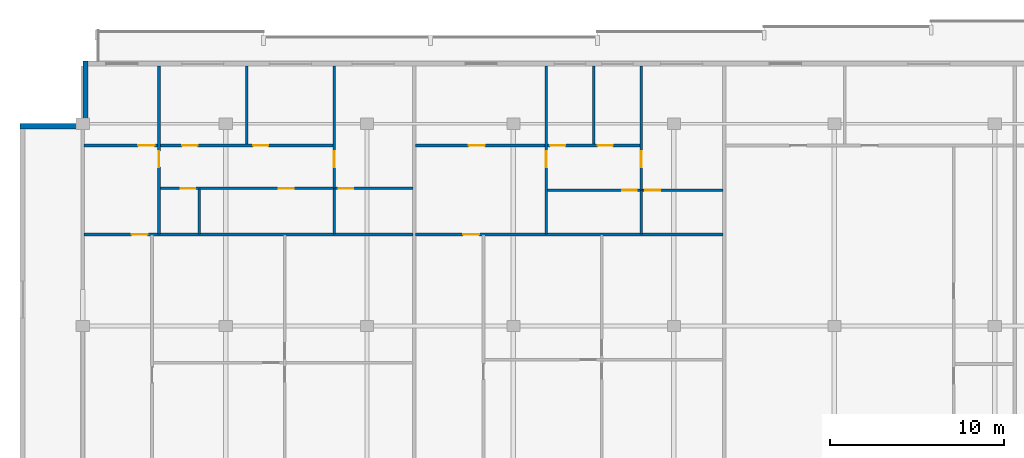
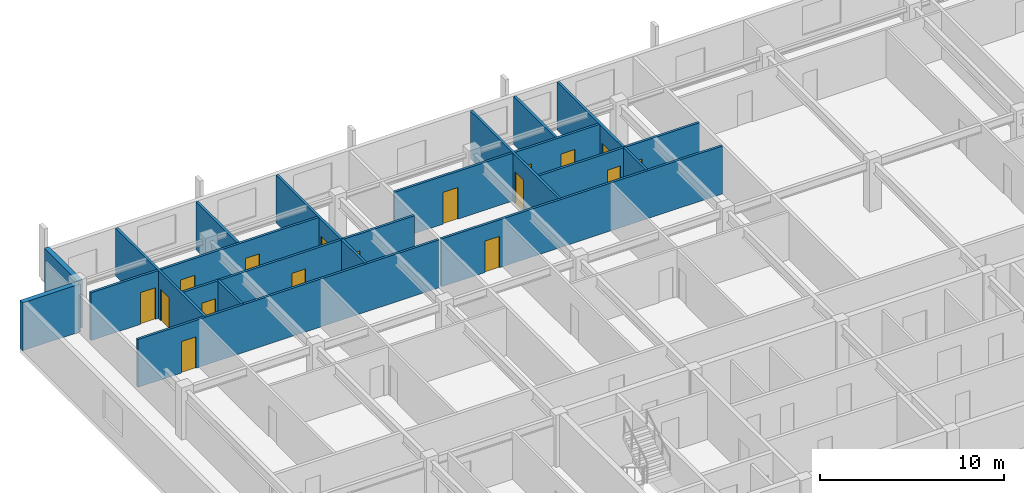
# One storey, part 7 of 11: 17 doors, 17 walls, 17 openings.
"""IFC4 building model written with IfcOpenShell, lengths in metres."""

import ifcopenshell
import ifcopenshell.guid

model = None  # the IFC model being written
_history = None  # IfcOwnerHistory: only IFC2X3 demands one
_inside = {}  # id of a spatial element -> (the spatial element, [elements in it])
_under = {}  # id of a project, library or spatial element -> (it, [spatial elements below it])
_declared = {}  # id of a project -> (the project, [libraries it declares])
_typed = {}  # id of a type object -> (the type object, [elements of that type])
_made_of = {}  # id of a material, layer set ... -> (it, [elements and type objects made of it])


def new_model(schema):
    """Start an empty IFC model of exactly this schema.

    Asked for "IFC4X3", IfcOpenShell would pick the latest addendum, in which some entities
    have other attributes; the version numbers below select the first issue.
    IFC2X3 requires an IfcOwnerHistory on every rooted entity: one is made here for all.
    """
    global model, _history
    if schema == "IFC4X3":
        model = ifcopenshell.file(schema_version=(4, 3, 0, 0))
    else:
        model = ifcopenshell.file(schema=schema)
    _inside.clear()
    _under.clear()
    _declared.clear()
    _typed.clear()
    _made_of.clear()
    _history = None
    if model.schema == "IFC2X3":
        org = make("IfcOrganization", Name="unknown")
        user = make(
            "IfcPersonAndOrganization",
            ThePerson=make("IfcPerson", FamilyName="unknown"),
            TheOrganization=org,
        )
        app = make(
            "IfcApplication",
            ApplicationDeveloper=org,
            Version="unknown",
            ApplicationFullName="unknown",
            ApplicationIdentifier="unknown",
        )
        _history = make(
            "IfcOwnerHistory",
            OwningUser=user,
            OwningApplication=app,
            ChangeAction="ADDED",
            CreationDate=0,
        )
    return model


def make(cls, **values):
    """One entity of the class cls with the attributes given. An attribute that is None is left unset."""
    return model.create_entity(
        cls, **{name: value for name, value in values.items() if value is not None}
    )


def rooted(cls, **values):
    """An entity with a GlobalId (a new one), such as an element, a storey or a relation."""
    return make(cls, GlobalId=ifcopenshell.guid.new(), OwnerHistory=_history, **values)


def si_unit(unit_type, name, prefix=None):
    """IfcSIUnit, for example si_unit("LENGTHUNIT", "METRE", prefix="MILLI")."""
    return make("IfcSIUnit", UnitType=unit_type, Prefix=prefix, Name=name)


def assignment(units):
    """IfcUnitAssignment: the units of a project."""
    return None if units is None else make("IfcUnitAssignment", Units=units)


def point(xyz):
    """IfcCartesianPoint."""
    return None if xyz is None else make("IfcCartesianPoint", Coordinates=xyz)


def direction(xyz):
    """IfcDirection."""
    return None if xyz is None else make("IfcDirection", DirectionRatios=xyz)


def frame(location, z_axis=None, x_axis=None):
    """IfcAxis2Placement3D, a coordinate frame: its origin and axes. An axis left out is left unset."""
    return make(
        "IfcAxis2Placement3D",
        Location=point(location),
        Axis=direction(z_axis),
        RefDirection=direction(x_axis),
    )


def frame_2d(location, x_axis=None):
    """IfcAxis2Placement2D, a coordinate frame in the plane: its origin and x axis."""
    return make(
        "IfcAxis2Placement2D", Location=point(location), RefDirection=direction(x_axis)
    )


def origin():
    """The frame at (0, 0, 0) with its axes left unset."""
    return frame((0.0, 0.0, 0.0))


def place(relative_to, where):
    """IfcLocalPlacement: puts the frame where relative to a parent placement (None: the world)."""
    return make(
        "IfcLocalPlacement", PlacementRelTo=relative_to, RelativePlacement=where
    )


def context(
    kind, dimensions, precision=None, world=None, true_north=None, identifier=None
):
    """IfcGeometricRepresentationContext, for example the 3D "Model" context."""
    return make(
        "IfcGeometricRepresentationContext",
        ContextIdentifier=identifier,
        ContextType=kind,
        CoordinateSpaceDimension=dimensions,
        Precision=precision,
        WorldCoordinateSystem=world,
        TrueNorth=true_north,
    )


def subcontext(parent, identifier, kind, view, scale=None):
    """IfcGeometricRepresentationSubContext, for example "Body" below "Model"."""
    return make(
        "IfcGeometricRepresentationSubContext",
        ContextIdentifier=identifier,
        ContextType=kind,
        ParentContext=parent,
        TargetScale=scale,
        TargetView=view,
    )


def project(units=None, contexts=None):
    """IfcProject with its units and contexts."""
    return rooted(
        "IfcProject",
        Name="project",
        RepresentationContexts=contexts,
        UnitsInContext=assignment(units),
    )


def spatial(cls, under=None, at=None, **own):
    """A site, building, storey or space (cls), placed at a placement, below another one or the project."""
    s = rooted(cls, ObjectPlacement=at, **own)
    if under is not None:
        _under.setdefault(under.id(), (under, []))[1].append(s)
    return s


def profile(cls, at=None, kind="AREA", **sizes):
    """A parametric profile (cls). Its sizes go by their IFC names, for example OverallWidth=200.0."""
    return make(cls, ProfileType=kind, Position=at, **sizes)


def rectangle(**sizes):
    """IfcRectangleProfileDef."""
    return profile("IfcRectangleProfileDef", **sizes)


def extrude(swept, where, along, depth):
    """IfcExtrudedAreaSolid: the profile swept, set in the frame where, extruded along a direction by depth."""
    return make(
        "IfcExtrudedAreaSolid",
        SweptArea=swept,
        Position=where,
        ExtrudedDirection=direction(along),
        Depth=depth,
    )


def shape(context_of_items, identifier, shape_type, items):
    """IfcShapeRepresentation: the items that make up one representation, for example the "Body"."""
    return make(
        "IfcShapeRepresentation",
        ContextOfItems=context_of_items,
        RepresentationIdentifier=identifier,
        RepresentationType=shape_type,
        Items=items,
    )


def material(Name=None, Category=None):
    """IfcMaterial."""
    return make("IfcMaterial", Name=Name, Category=Category)


def layer(
    of_material, thickness, ventilated=None, Name=None, Category=None, Priority=None
):
    """IfcMaterialLayer: one layer of a wall or slab, of a material (None: an air gap)."""
    return make(
        "IfcMaterialLayer",
        Material=of_material,
        LayerThickness=thickness,
        IsVentilated=ventilated,
        Name=Name,
        Category=Category,
        Priority=Priority,
    )


def layer_set(layers, Name=None):
    """IfcMaterialLayerSet."""
    return make("IfcMaterialLayerSet", MaterialLayers=layers, LayerSetName=Name)


def made_of(thing, what):
    """Note that an element or type object is made of a material, layer set ...; save() writes the relation."""
    if what is not None:
        _made_of.setdefault(what.id(), (what, []))[1].append(thing)
    return thing


def type_object(cls, material=None, **own):
    """A type object (cls), such as IfcWallType, which elements share."""
    return made_of(rooted(cls, **own), material)


def element(
    cls,
    number,
    at=None,
    inside=None,
    cuts=None,
    type_object=None,
    material=None,
    context=None,
    identifier="Body",
    shape_type=None,
    held_by="IfcProductDefinitionShape",
    body=None,
    shapes=None,
    **own,
):
    """One element of the class cls, such as IfcWall. Its Tag is "e" and its number.

    at: its placement. inside: the storey or other place that contains it. cuts: it is an
    opening in that element (IfcRelVoidsElement). A single representation is given by context,
    identifier, shape_type and body (its items); several are given by shapes. held_by: the class
    of the entity that holds the representations. save() writes the other relations.
    """
    e = rooted(cls, Tag="e%d" % number, ObjectPlacement=at, **own)
    if body is not None:
        shapes = [shape(context, identifier, shape_type, body)]
    if shapes is not None:
        e.Representation = make(held_by, Representations=shapes)
    if inside is not None:
        _inside.setdefault(inside.id(), (inside, []))[1].append(e)
    if cuts is not None:
        rooted(
            "IfcRelVoidsElement", RelatingBuildingElement=cuts, RelatedOpeningElement=e
        )
    if type_object is not None:
        _typed.setdefault(type_object.id(), (type_object, []))[1].append(e)
    return made_of(e, material)


def fill(opening, filler):
    """IfcRelFillsElement: the door or window that sits in an opening."""
    return rooted(
        "IfcRelFillsElement",
        RelatingOpeningElement=opening,
        RelatedBuildingElement=filler,
    )


def aggregate(whole, parts):
    """IfcRelAggregates: a whole, such as a stair, and the parts it consists of."""
    return rooted("IfcRelAggregates", RelatingObject=whole, RelatedObjects=parts)


def save(model, path):
    """Write the relations noted so far, then the file.

    IfcRelAggregates (storeys below a building ...), IfcRelContainedInSpatialStructure (elements
    in a storey), IfcRelDefinesByType, IfcRelAssociatesMaterial and IfcRelDeclares: one each for
    every whole, place, type object, material and project.
    """
    for whole, parts in _under.values():
        aggregate(whole, parts)
    for where, things in _inside.values():
        rooted(
            "IfcRelContainedInSpatialStructure",
            RelatedElements=things,
            RelatingStructure=where,
        )
    for kind, things in _typed.values():
        rooted("IfcRelDefinesByType", RelatedObjects=things, RelatingType=kind)
    for what, things in _made_of.values():
        rooted("IfcRelAssociatesMaterial", RelatedObjects=things, RelatingMaterial=what)
    for by, libraries in _declared.values():
        rooted("IfcRelDeclares", RelatingContext=by, RelatedDefinitions=libraries)
    model.write(path)


model = new_model("IFC4")

# Units and contexts
model_context = context("Model", 3, precision=1e-05, world=origin(), true_north=direction((0.0, 1.0)))
body_context = subcontext(model_context, "Body", "Model", "MODEL_VIEW")
ifc_project = project(units=[si_unit("LENGTHUNIT", "METRE"), si_unit("AREAUNIT", "SQUARE_METRE"), si_unit("VOLUMEUNIT", "CUBIC_METRE"), si_unit("PLANEANGLEUNIT", "RADIAN"), si_unit("MASSUNIT", "GRAM", prefix="KILO")], contexts=[model_context])

# Site, building, storey
site_placement = place(None, origin())
site = spatial("IfcSite", under=ifc_project, at=site_placement, CompositionType="ELEMENT")
building_placement = place(site_placement, origin())
building = spatial("IfcBuilding", under=site, at=building_placement, Name="Korimba Cascade Residences", CompositionType="ELEMENT")
storey_placement = place(building_placement, frame((0.0, 0.0, 249.35009765625)))
storey = spatial("IfcBuildingStorey", under=building, at=storey_placement, Name="L72", CompositionType="ELEMENT", Elevation=249.35009765625)

# Walls
ifc_material_1 = material(Name="Precast concrete C40/50", Category="concrete")
ifc_layer_1 = layer(ifc_material_1, 0.300048828125)
ifc_layer_set_1 = layer_set([ifc_layer_1], Name="Precast concrete C40/50")
wall_type_1 = type_object("IfcWallType", Name="EW-STONE-300", PredefinedType="STANDARD", material=ifc_layer_set_1)
for number, where, z_axis, x_axis, name in (
    (1, (59.949951171875, 94.800048828125, 0.0), (0.0, 0.0, 1.0), (0.0, -1.0, 0.0), "L72 T1 Perimeter Stone Wall E07"),
    (2, (59.800048828125, 91.050048828125, 0.0), (0.0, 0.0, 1.0), (-1.0, 0.0, 0.0), "L72 T1 Perimeter Stone Wall E08"),
):
    element("IfcWall", number, at=place(storey_placement, frame(where, z_axis=z_axis, x_axis=x_axis)), inside=storey, type_object=wall_type_1, Name=name, PredefinedType="STANDARD", context=body_context, shape_type="SweptSolid", body=[
        extrude(rectangle(XDim=3.60009765625, YDim=0.300048828125, at=frame_2d((1.800048828125, 0.0))), origin(), (0.0, 0.0, 1.0), 3.169921875),
    ])
ifc_material_2 = material(Name="Insulated Acoustic Stud Partition", Category="gypsum")
ifc_layer_2 = layer(ifc_material_2, 0.14990234375)
ifc_layer_set_2 = layer_set([ifc_layer_2], Name="Insulated Acoustic Stud Partition")
wall_type_2 = type_object("IfcWallType", Name="WAL-PART-150", PredefinedType="PARTITIONING", material=ifc_layer_set_2)
wall_1_placement = place(storey_placement, frame((66.47998046875, 84.889892578125, 0.0), z_axis=(0.0, 0.0, 1.0), x_axis=(0.0, 1.0, 0.0)))
element("IfcWall", 3, at=wall_1_placement, inside=storey, type_object=wall_type_2, Name="L72 Partition Wall WAL-L72-T1-U01-VDRS", PredefinedType="PARTITIONING", context=body_context, shape_type="SweptSolid", body=[
    extrude(rectangle(XDim=2.580078125, YDim=0.14990234375, at=frame_2d((1.2900390625, 0.0))), origin(), (0.0, 0.0, 1.0), 3.169921875),
])
wall_2_placement = place(storey_placement, frame((69.195068359375, 90.030029296875, 0.0), z_axis=(0.0, 0.0, 1.0), x_axis=(0.0, 1.0, 0.0)))
element("IfcWall", 4, at=wall_2_placement, inside=storey, type_object=wall_type_2, Name="L72 Partition Wall WAL-L72-T1-U01-VB3", PredefinedType="PARTITIONING", context=body_context, shape_type="SweptSolid", body=[
    extrude(rectangle(XDim=4.469970703125, YDim=0.14990234375, at=frame_2d((2.23486328125, 0.0))), origin(), (0.0, 0.0, 1.0), 3.169921875),
])

# Wall, opening, door
wall_3_placement = place(storey_placement, frame((64.169921875, 84.889892578125, 0.0), z_axis=(0.0, 0.0, 1.0), x_axis=(0.0, 1.0, 0.0)))
wall_3 = element("IfcWall", 5, at=wall_3_placement, inside=storey, type_object=wall_type_2, Name="L72 Partition Wall WAL-L72-T1-U01-V1", PredefinedType="PARTITIONING", context=body_context, shape_type="SweptSolid", body=[
    extrude(rectangle(XDim=9.610107421875, YDim=0.14990234375, at=frame_2d((4.80517578125, 0.0))), origin(), (0.0, 0.0, 1.0), 3.169921875),
])
opening_1_placement = place(wall_3_placement, frame((3.820068359375, 0.0, 0.0)))
opening_1 = element("IfcOpeningElement", 6, at=opening_1_placement, cuts=wall_3, Name="Opening D-IN1", PredefinedType="OPENING", context=body_context, shape_type="SweptSolid", body=[
    extrude(rectangle(XDim=0.919921875, YDim=2.080078125, at=frame_2d((0.4599609375, 1.0400390625))), frame((0.0, 0.0849609375, 0.0), z_axis=(0.0, -1.0, 0.0), x_axis=(1.0, 0.0, 0.0)), (0.0, 0.0, 1.0), 0.169921875),
])
ifc_material_3 = material(Name="Acoustic Timber Living Door", Category="wood")
door_type_1 = type_object("IfcDoorType", Name="DR-INT-920", OperationType="NOTDEFINED", PredefinedType="DOOR", material=ifc_material_3)
door_1_placement = place(opening_1_placement, origin())
door_1 = element("IfcDoor", 7, at=door_1_placement, inside=storey, type_object=door_type_1, Name="L72-T1-U01 Hallway Door", OperationType="SINGLE_SWING_LEFT", OverallHeight=2.080078125, OverallWidth=0.919921875, PredefinedType="DOOR", context=body_context, shape_type="SweptSolid", body=[
    extrude(rectangle(XDim=0.919921875, YDim=2.080078125, at=frame_2d((0.4599609375, 1.0400390625))), frame((0.0, 0.02490234375, 0.0), z_axis=(0.0, -1.0, 0.0), x_axis=(1.0, 0.0, 0.0)), (0.0, 0.0, 1.0), 0.050048828125),
])
fill(opening_1, door_1)

# Wall
wall_4_placement = place(storey_placement, frame((74.219970703125, 84.889892578125, 0.0), z_axis=(0.0, 0.0, 1.0), x_axis=(0.0, 1.0, 0.0)))
element("IfcWall", 8, at=wall_4_placement, inside=storey, type_object=wall_type_2, Name="L72 Partition Wall WAL-L72-T1-U01-VBATH", PredefinedType="PARTITIONING", context=body_context, shape_type="SweptSolid", body=[
    extrude(rectangle(XDim=2.580078125, YDim=0.14990234375, at=frame_2d((1.2900390625, 0.0))), origin(), (0.0, 0.0, 1.0), 3.169921875),
])

# Wall, opening, door
wall_5_placement = place(storey_placement, frame((74.219970703125, 87.510009765625, 0.0), z_axis=(0.0, 0.0, 1.0), x_axis=(0.0, 1.0, 0.0)))
wall_5 = element("IfcWall", 9, at=wall_5_placement, inside=storey, type_object=wall_type_2, Name="L72 Partition Wall WAL-L72-T1-U01-V2FULL", PredefinedType="PARTITIONING", context=body_context, shape_type="SweptSolid", body=[
    extrude(rectangle(XDim=6.989990234375, YDim=0.14990234375, at=frame_2d((3.4951171875, 0.0))), origin(), (0.0, 0.0, 1.0), 3.169921875),
])
opening_2_placement = place(wall_5_placement, frame((1.199951171875, 0.0, 0.0)))
opening_2 = element("IfcOpeningElement", 10, at=opening_2_placement, cuts=wall_5, Name="Opening D-IN1", PredefinedType="OPENING", context=body_context, shape_type="SweptSolid", body=[
    extrude(rectangle(XDim=0.919921875, YDim=2.080078125, at=frame_2d((0.4599609375, 1.0400390625))), frame((0.0, 0.0849609375, 0.0), z_axis=(0.0, -1.0, 0.0), x_axis=(1.0, 0.0, 0.0)), (0.0, 0.0, 1.0), 0.169921875),
])
door_2_placement = place(opening_2_placement, origin())
door_2 = element("IfcDoor", 11, at=door_2_placement, inside=storey, type_object=door_type_1, Name="L72-T1-U01 Master Bedroom Door", OperationType="SINGLE_SWING_RIGHT", OverallHeight=2.080078125, OverallWidth=0.919921875, PredefinedType="DOOR", context=body_context, shape_type="SweptSolid", body=[
    extrude(rectangle(XDim=0.919921875, YDim=2.080078125, at=frame_2d((0.4599609375, 1.0400390625))), frame((0.0, 0.02490234375, 0.0), z_axis=(0.0, -1.0, 0.0), x_axis=(1.0, 0.0, 0.0)), (0.0, 0.0, 1.0), 0.050048828125),
])
fill(opening_2, door_2)

# Wall, openings, doors
wall_6_placement = place(storey_placement, frame((64.2099609375, 87.489990234375, 0.0), z_axis=(0.0, 0.0, 1.0), x_axis=(1.0, 0.0, 0.0)))
wall_6 = element("IfcWall", 12, at=wall_6_placement, inside=storey, type_object=wall_type_2, Name="L72 Partition Wall WAL-L72-T1-U01-HWALL", PredefinedType="PARTITIONING", context=body_context, shape_type="SweptSolid", body=[
    extrude(rectangle(XDim=14.51904296875, YDim=0.14990234375, at=frame_2d((7.259521484375, 0.0))), origin(), (0.0, 0.0, 1.0), 3.169921875),
])
opening_3_placement = place(wall_6_placement, frame((1.2099609375, 0.0, 0.0)))
opening_3 = element("IfcOpeningElement", 13, at=opening_3_placement, cuts=wall_6, Name="Opening D-BT1", PredefinedType="OPENING", context=body_context, shape_type="SweptSolid", body=[
    extrude(rectangle(XDim=0.840087890625, YDim=2.0400390625, at=frame_2d((0.419921875, 1.02001953125))), frame((0.0, 0.0849609375, 0.0), z_axis=(0.0, -1.0, 0.0), x_axis=(1.0, 0.0, 0.0)), (0.0, 0.0, 1.0), 0.169921875),
])
opening_4_placement = place(wall_6_placement, frame((6.839599609375, 0.0, 0.0)))
opening_4 = element("IfcOpeningElement", 14, at=opening_4_placement, cuts=wall_6, Name="Opening D-BT1", PredefinedType="OPENING", context=body_context, shape_type="SweptSolid", body=[
    extrude(rectangle(XDim=0.840087890625, YDim=2.0400390625, at=frame_2d((0.419921875, 1.02001953125))), frame((0.0, 0.0849609375, 0.0), z_axis=(0.0, -1.0, 0.0), x_axis=(1.0, 0.0, 0.0)), (0.0, 0.0, 1.0), 0.169921875),
])
opening_5_placement = place(wall_6_placement, frame((10.260009765625, 0.0, 0.0)))
opening_5 = element("IfcOpeningElement", 15, at=opening_5_placement, cuts=wall_6, Name="Opening D-BT1", PredefinedType="OPENING", context=body_context, shape_type="SweptSolid", body=[
    extrude(rectangle(XDim=0.840087890625, YDim=2.0400390625, at=frame_2d((0.419921875, 1.02001953125))), frame((0.0, 0.0849609375, 0.0), z_axis=(0.0, -1.0, 0.0), x_axis=(1.0, 0.0, 0.0)), (0.0, 0.0, 1.0), 0.169921875),
])
ifc_material_4 = material(Name="Moisture-Resistant Bathroom Timber Door", Category="wood")
door_type_2 = type_object("IfcDoorType", Name="DR-INT-850", OperationType="NOTDEFINED", PredefinedType="DOOR", material=ifc_material_4)
door_3_placement = place(opening_3_placement, origin())
door_3 = element("IfcDoor", 16, at=door_3_placement, inside=storey, type_object=door_type_2, Name="L72-T1-U01 Family Bathroom Door", OperationType="SINGLE_SWING_LEFT", OverallHeight=2.0400390625, OverallWidth=0.840087890625, PredefinedType="DOOR", context=body_context, shape_type="SweptSolid", body=[
    extrude(rectangle(XDim=0.840087890625, YDim=2.0400390625, at=frame_2d((0.419921875, 1.02001953125))), frame((0.0, 0.02490234375, 0.0), z_axis=(0.0, -1.0, 0.0), x_axis=(1.0, 0.0, 0.0)), (0.0, 0.0, 1.0), 0.050048828125),
])
fill(opening_3, door_3)
door_4_placement = place(opening_4_placement, origin())
door_4 = element("IfcDoor", 17, at=door_4_placement, inside=storey, type_object=door_type_2, Name="L72-T1-U01 Dressing Room Door", OperationType="SINGLE_SWING_RIGHT", OverallHeight=2.0400390625, OverallWidth=0.840087890625, PredefinedType="DOOR", context=body_context, shape_type="SweptSolid", body=[
    extrude(rectangle(XDim=0.840087890625, YDim=2.0400390625, at=frame_2d((0.419921875, 1.02001953125))), frame((0.0, 0.02490234375, 0.0), z_axis=(0.0, -1.0, 0.0), x_axis=(1.0, 0.0, 0.0)), (0.0, 0.0, 1.0), 0.050048828125),
])
fill(opening_4, door_4)
door_5_placement = place(opening_5_placement, origin())
door_5 = element("IfcDoor", 18, at=door_5_placement, inside=storey, type_object=door_type_2, Name="L72-T1-U01 En-Suite Door", OperationType="SINGLE_SWING_LEFT", OverallHeight=2.0400390625, OverallWidth=0.840087890625, PredefinedType="DOOR", context=body_context, shape_type="SweptSolid", body=[
    extrude(rectangle(XDim=0.840087890625, YDim=2.0400390625, at=frame_2d((0.419921875, 1.02001953125))), frame((0.0, 0.02490234375, 0.0), z_axis=(0.0, -1.0, 0.0), x_axis=(1.0, 0.0, 0.0)), (0.0, 0.0, 1.0), 0.050048828125),
])
fill(opening_5, door_5)

# Wall, opening, door
wall_7_placement = place(storey_placement, frame((59.8798828125, 84.85009765625, 0.0), z_axis=(0.0, 0.0, 1.0), x_axis=(1.0, 0.0, 0.0)))
wall_7 = element("IfcWall", 19, at=wall_7_placement, inside=storey, type_object=wall_type_2, Name="L72 Partition Wall WAL-L72-T1-U01-MW", PredefinedType="PARTITIONING", context=body_context, shape_type="SweptSolid", body=[
    extrude(rectangle(XDim=18.84912109375, YDim=0.14990234375, at=frame_2d((9.424560546875, 0.0))), origin(), (0.0, 0.0, 1.0), 3.169921875),
])
opening_6_placement = place(wall_7_placement, frame((2.719970703125, 0.0, 0.0)))
opening_6 = element("IfcOpeningElement", 20, at=opening_6_placement, cuts=wall_7, Name="Opening D-IN1", PredefinedType="OPENING", context=body_context, shape_type="SweptSolid", body=[
    extrude(rectangle(XDim=0.919921875, YDim=2.080078125, at=frame_2d((0.4599609375, 1.0400390625))), frame((0.0, 0.0849609375, 0.0), z_axis=(0.0, -1.0, 0.0), x_axis=(1.0, 0.0, 0.0)), (0.0, 0.0, 1.0), 0.169921875),
])
door_6_placement = place(opening_6_placement, origin())
door_6 = element("IfcDoor", 21, at=door_6_placement, inside=storey, type_object=door_type_1, Name="L72-T1-U01 Kitchen Door", OperationType="SINGLE_SWING_RIGHT", OverallHeight=2.080078125, OverallWidth=0.919921875, PredefinedType="DOOR", context=body_context, shape_type="SweptSolid", body=[
    extrude(rectangle(XDim=0.919921875, YDim=2.080078125, at=frame_2d((0.4599609375, 1.0400390625))), frame((0.0, 0.02490234375, 0.0), z_axis=(0.0, -1.0, 0.0), x_axis=(1.0, 0.0, 0.0)), (0.0, 0.0, 1.0), 0.050048828125),
])
fill(opening_6, door_6)

# Wall, openings, doors
wall_8_placement = place(storey_placement, frame((59.8798828125, 89.949951171875, 0.0), z_axis=(0.0, 0.0, 1.0), x_axis=(1.0, 0.0, 0.0)))
wall_8 = element("IfcWall", 22, at=wall_8_placement, inside=storey, type_object=wall_type_2, Name="L72 Partition Wall WAL-L72-T1-U01-HZ", PredefinedType="PARTITIONING", context=body_context, shape_type="SweptSolid", body=[
    extrude(rectangle(XDim=14.340087890625, YDim=0.14990234375, at=frame_2d((7.169921875, 0.0))), origin(), (0.0, 0.0, 1.0), 3.169921875),
])
opening_7_placement = place(wall_8_placement, frame((3.10009765625, 0.0, 0.0)))
opening_7 = element("IfcOpeningElement", 23, at=opening_7_placement, cuts=wall_8, Name="Opening D-IN0", PredefinedType="OPENING", context=body_context, shape_type="SweptSolid", body=[
    extrude(rectangle(XDim=0.93994140625, YDim=2.10009765625, at=frame_2d((0.469970703125, 1.050048828125))), frame((0.0, 0.0849609375, 0.0), z_axis=(0.0, -1.0, 0.0), x_axis=(1.0, 0.0, 0.0)), (0.0, 0.0, 1.0), 0.169921875),
])
opening_8_placement = place(wall_8_placement, frame((5.62158203125, 0.0, 0.0)))
opening_8 = element("IfcOpeningElement", 24, at=opening_8_placement, cuts=wall_8, Name="Opening D-IN2", PredefinedType="OPENING", context=body_context, shape_type="SweptSolid", body=[
    extrude(rectangle(XDim=0.8798828125, YDim=2.06005859375, at=frame_2d((0.43994140625, 1.030029296875))), frame((0.0, 0.0849609375, 0.0), z_axis=(0.0, -1.0, 0.0), x_axis=(1.0, 0.0, 0.0)), (0.0, 0.0, 1.0), 0.169921875),
])
opening_9_placement = place(wall_8_placement, frame((9.68310546875, 0.0, 0.0)))
opening_9 = element("IfcOpeningElement", 25, at=opening_9_placement, cuts=wall_8, Name="Opening D-IN2", PredefinedType="OPENING", context=body_context, shape_type="SweptSolid", body=[
    extrude(rectangle(XDim=0.8798828125, YDim=2.06005859375, at=frame_2d((0.43994140625, 1.030029296875))), frame((0.0, 0.0849609375, 0.0), z_axis=(0.0, -1.0, 0.0), x_axis=(1.0, 0.0, 0.0)), (0.0, 0.0, 1.0), 0.169921875),
])
ifc_material_5 = material(Name="Acoustic Timber Bedroom Door", Category="wood")
door_type_3 = type_object("IfcDoorType", Name="DR-INT-880", OperationType="NOTDEFINED", PredefinedType="DOOR", material=ifc_material_5)
door_7_placement = place(opening_8_placement, origin())
door_7 = element("IfcDoor", 26, at=door_7_placement, inside=storey, type_object=door_type_3, Name="L72-T1-U01 Bedroom 2 Door", OperationType="SINGLE_SWING_RIGHT", OverallHeight=2.06005859375, OverallWidth=0.8798828125, PredefinedType="DOOR", context=body_context, shape_type="SweptSolid", body=[
    extrude(rectangle(XDim=0.8798828125, YDim=2.06005859375, at=frame_2d((0.43994140625, 1.030029296875))), frame((0.0, 0.02490234375, 0.0), z_axis=(0.0, -1.0, 0.0), x_axis=(1.0, 0.0, 0.0)), (0.0, 0.0, 1.0), 0.050048828125),
])
fill(opening_8, door_7)
door_8_placement = place(opening_9_placement, origin())
door_8 = element("IfcDoor", 27, at=door_8_placement, inside=storey, type_object=door_type_3, Name="L72-T1-U01 Bedroom 3 Door", OperationType="SINGLE_SWING_LEFT", OverallHeight=2.06005859375, OverallWidth=0.8798828125, PredefinedType="DOOR", context=body_context, shape_type="SweptSolid", body=[
    extrude(rectangle(XDim=0.8798828125, YDim=2.06005859375, at=frame_2d((0.43994140625, 1.030029296875))), frame((0.0, 0.02490234375, 0.0), z_axis=(0.0, -1.0, 0.0), x_axis=(1.0, 0.0, 0.0)), (0.0, 0.0, 1.0), 0.050048828125),
])
fill(opening_9, door_8)
ifc_material_6 = material(Name="Acoustic Timber Living Archway Door", Category="wood")
door_type_4 = type_object("IfcDoorType", Name="DR-INT-950", OperationType="NOTDEFINED", PredefinedType="DOOR", material=ifc_material_6)
door_9_placement = place(opening_7_placement, origin())
door_9 = element("IfcDoor", 28, at=door_9_placement, inside=storey, type_object=door_type_4, Name="L72-T1-U01 Living Room Door", OperationType="SINGLE_SWING_LEFT", OverallHeight=2.10009765625, OverallWidth=0.93994140625, PredefinedType="DOOR", context=body_context, shape_type="SweptSolid", body=[
    extrude(rectangle(XDim=0.93994140625, YDim=2.10009765625, at=frame_2d((0.469970703125, 1.050048828125))), frame((0.0, 0.02490234375, 0.0), z_axis=(0.0, -1.0, 0.0), x_axis=(1.0, 0.0, 0.0)), (0.0, 0.0, 1.0), 0.050048828125),
])
fill(opening_7, door_9)

# Wall
wall_9_placement = place(storey_placement, frame((89.10009765625, 90.030029296875, 0.0), z_axis=(0.0, 0.0, 1.0), x_axis=(0.0, 1.0, 0.0)))
element("IfcWall", 29, at=wall_9_placement, inside=storey, type_object=wall_type_2, Name="L72 Partition Wall WAL-L72-T1-U02-VB3", PredefinedType="PARTITIONING", context=body_context, shape_type="SweptSolid", body=[
    extrude(rectangle(XDim=4.469970703125, YDim=0.14990234375, at=frame_2d((2.23486328125, 0.0))), origin(), (0.0, 0.0, 1.0), 3.169921875),
])

# Wall, opening, door
wall_10_placement = place(storey_placement, frame((86.3798828125, 84.889892578125, 0.0), z_axis=(0.0, 0.0, 1.0), x_axis=(0.0, 1.0, 0.0)))
wall_10 = element("IfcWall", 30, at=wall_10_placement, inside=storey, type_object=wall_type_2, Name="L72 Partition Wall WAL-L72-T1-U02-V1", PredefinedType="PARTITIONING", context=body_context, shape_type="SweptSolid", body=[
    extrude(rectangle(XDim=9.610107421875, YDim=0.14990234375, at=frame_2d((4.80517578125, 0.0))), origin(), (0.0, 0.0, 1.0), 3.169921875),
])
opening_10_placement = place(wall_10_placement, frame((3.820068359375, 0.0, 0.0)))
opening_10 = element("IfcOpeningElement", 31, at=opening_10_placement, cuts=wall_10, Name="Opening D-IN1", PredefinedType="OPENING", context=body_context, shape_type="SweptSolid", body=[
    extrude(rectangle(XDim=0.919921875, YDim=2.080078125, at=frame_2d((0.4599609375, 1.0400390625))), frame((0.0, 0.0849609375, 0.0), z_axis=(0.0, -1.0, 0.0), x_axis=(1.0, 0.0, 0.0)), (0.0, 0.0, 1.0), 0.169921875),
])
door_10_placement = place(opening_10_placement, origin())
door_10 = element("IfcDoor", 32, at=door_10_placement, inside=storey, type_object=door_type_1, Name="L72-T1-U02 Hallway Door", OperationType="SINGLE_SWING_RIGHT", OverallHeight=2.080078125, OverallWidth=0.919921875, PredefinedType="DOOR", context=body_context, shape_type="SweptSolid", body=[
    extrude(rectangle(XDim=0.919921875, YDim=2.080078125, at=frame_2d((0.4599609375, 1.0400390625))), frame((0.0, 0.02490234375, 0.0), z_axis=(0.0, -1.0, 0.0), x_axis=(1.0, 0.0, 0.0)), (0.0, 0.0, 1.0), 0.050048828125),
])
fill(opening_10, door_10)

# Wall
wall_11_placement = place(storey_placement, frame((91.820068359375, 84.889892578125, 0.0), z_axis=(0.0, 0.0, 1.0), x_axis=(0.0, 1.0, 0.0)))
element("IfcWall", 33, at=wall_11_placement, inside=storey, type_object=wall_type_2, Name="L72 Partition Wall WAL-L72-T1-U02-VBATH", PredefinedType="PARTITIONING", context=body_context, shape_type="SweptSolid", body=[
    extrude(rectangle(XDim=2.47021484375, YDim=0.14990234375, at=frame_2d((1.235107421875, 0.0))), origin(), (0.0, 0.0, 1.0), 3.169921875),
])

# Wall, opening, door
wall_12_placement = place(storey_placement, frame((91.820068359375, 87.39990234375, 0.0), z_axis=(0.0, 0.0, 1.0), x_axis=(0.0, 1.0, 0.0)))
wall_12 = element("IfcWall", 34, at=wall_12_placement, inside=storey, type_object=wall_type_2, Name="L72 Partition Wall WAL-L72-T1-U02-V2FULL", PredefinedType="PARTITIONING", context=body_context, shape_type="SweptSolid", body=[
    extrude(rectangle(XDim=7.10009765625, YDim=0.14990234375, at=frame_2d((3.550048828125, 0.0))), origin(), (0.0, 0.0, 1.0), 3.169921875),
])
opening_11_placement = place(wall_12_placement, frame((1.31005859375, 0.0, 0.0)))
opening_11 = element("IfcOpeningElement", 35, at=opening_11_placement, cuts=wall_12, Name="Opening D-IN1", PredefinedType="OPENING", context=body_context, shape_type="SweptSolid", body=[
    extrude(rectangle(XDim=0.919921875, YDim=2.080078125, at=frame_2d((0.4599609375, 1.0400390625))), frame((0.0, 0.0849609375, 0.0), z_axis=(0.0, -1.0, 0.0), x_axis=(1.0, 0.0, 0.0)), (0.0, 0.0, 1.0), 0.169921875),
])
door_11_placement = place(opening_11_placement, origin())
door_11 = element("IfcDoor", 36, at=door_11_placement, inside=storey, type_object=door_type_1, Name="L72-T1-U02 Master Bedroom Door", OperationType="SINGLE_SWING_LEFT", OverallHeight=2.080078125, OverallWidth=0.919921875, PredefinedType="DOOR", context=body_context, shape_type="SweptSolid", body=[
    extrude(rectangle(XDim=0.919921875, YDim=2.080078125, at=frame_2d((0.4599609375, 1.0400390625))), frame((0.0, 0.02490234375, 0.0), z_axis=(0.0, -1.0, 0.0), x_axis=(1.0, 0.0, 0.0)), (0.0, 0.0, 1.0), 0.050048828125),
])
fill(opening_11, door_11)

# Wall, openings, doors
wall_13_placement = place(storey_placement, frame((86.419921875, 87.3798828125, 0.0), z_axis=(0.0, 0.0, 1.0), x_axis=(1.0, 0.0, 0.0)))
wall_13 = element("IfcWall", 37, at=wall_13_placement, inside=storey, type_object=wall_type_2, Name="L72 Partition Wall WAL-L72-T1-U02-HWALL", PredefinedType="PARTITIONING", context=body_context, shape_type="SweptSolid", body=[
    extrude(rectangle(XDim=10.088623046875, YDim=0.14990234375, at=frame_2d((5.04443359375, 0.0))), origin(), (0.0, 0.0, 1.0), 3.169921875),
])
opening_12_placement = place(wall_13_placement, frame((4.31005859375, 0.0, 0.0)))
opening_12 = element("IfcOpeningElement", 38, at=opening_12_placement, cuts=wall_13, Name="Opening D-BT1", PredefinedType="OPENING", context=body_context, shape_type="SweptSolid", body=[
    extrude(rectangle(XDim=0.840087890625, YDim=2.0400390625, at=frame_2d((0.419921875, 1.02001953125))), frame((0.0, 0.0849609375, 0.0), z_axis=(0.0, -1.0, 0.0), x_axis=(1.0, 0.0, 0.0)), (0.0, 0.0, 1.0), 0.169921875),
])
opening_13_placement = place(wall_13_placement, frame((5.64990234375, 0.0, 0.0)))
opening_13 = element("IfcOpeningElement", 39, at=opening_13_placement, cuts=wall_13, Name="Opening D-BT1", PredefinedType="OPENING", context=body_context, shape_type="SweptSolid", body=[
    extrude(rectangle(XDim=0.840087890625, YDim=2.0400390625, at=frame_2d((0.419921875, 1.02001953125))), frame((0.0, 0.0849609375, 0.0), z_axis=(0.0, -1.0, 0.0), x_axis=(1.0, 0.0, 0.0)), (0.0, 0.0, 1.0), 0.169921875),
])
door_12_placement = place(opening_12_placement, origin())
door_12 = element("IfcDoor", 40, at=door_12_placement, inside=storey, type_object=door_type_2, Name="L72-T1-U02 Family Bathroom Door", OperationType="SINGLE_SWING_RIGHT", OverallHeight=2.0400390625, OverallWidth=0.840087890625, PredefinedType="DOOR", context=body_context, shape_type="SweptSolid", body=[
    extrude(rectangle(XDim=0.840087890625, YDim=2.0400390625, at=frame_2d((0.419921875, 1.02001953125))), frame((0.0, 0.02490234375, 0.0), z_axis=(0.0, -1.0, 0.0), x_axis=(1.0, 0.0, 0.0)), (0.0, 0.0, 1.0), 0.050048828125),
])
fill(opening_12, door_12)
door_13_placement = place(opening_13_placement, origin())
door_13 = element("IfcDoor", 41, at=door_13_placement, inside=storey, type_object=door_type_2, Name="L72-T1-U02 En-Suite Door", OperationType="SINGLE_SWING_LEFT", OverallHeight=2.0400390625, OverallWidth=0.840087890625, PredefinedType="DOOR", context=body_context, shape_type="SweptSolid", body=[
    extrude(rectangle(XDim=0.840087890625, YDim=2.0400390625, at=frame_2d((0.419921875, 1.02001953125))), frame((0.0, 0.02490234375, 0.0), z_axis=(0.0, -1.0, 0.0), x_axis=(1.0, 0.0, 0.0)), (0.0, 0.0, 1.0), 0.050048828125),
])
fill(opening_13, door_13)

# Wall, opening, door
wall_14_placement = place(storey_placement, frame((78.88916015625, 84.85009765625, 0.0), z_axis=(0.0, 0.0, 1.0), x_axis=(1.0, 0.0, 0.0)))
wall_14 = element("IfcWall", 42, at=wall_14_placement, inside=storey, type_object=wall_type_2, Name="L72 Partition Wall WAL-L72-T1-U02-MW", PredefinedType="PARTITIONING", context=body_context, shape_type="SweptSolid", body=[
    extrude(rectangle(XDim=17.619384765625, YDim=0.14990234375, at=frame_2d((8.8095703125, 0.0))), origin(), (0.0, 0.0, 1.0), 3.169921875),
])
opening_14_placement = place(wall_14_placement, frame((2.719970703125, 0.0, 0.0)))
opening_14 = element("IfcOpeningElement", 43, at=opening_14_placement, cuts=wall_14, Name="Opening D-IN1", PredefinedType="OPENING", context=body_context, shape_type="SweptSolid", body=[
    extrude(rectangle(XDim=0.919921875, YDim=2.080078125, at=frame_2d((0.4599609375, 1.0400390625))), frame((0.0, 0.0849609375, 0.0), z_axis=(0.0, -1.0, 0.0), x_axis=(1.0, 0.0, 0.0)), (0.0, 0.0, 1.0), 0.169921875),
])
door_14_placement = place(opening_14_placement, origin())
door_14 = element("IfcDoor", 44, at=door_14_placement, inside=storey, type_object=door_type_1, Name="L72-T1-U02 Kitchen Door", OperationType="SINGLE_SWING_RIGHT", OverallHeight=2.080078125, OverallWidth=0.919921875, PredefinedType="DOOR", context=body_context, shape_type="SweptSolid", body=[
    extrude(rectangle(XDim=0.919921875, YDim=2.080078125, at=frame_2d((0.4599609375, 1.0400390625))), frame((0.0, 0.02490234375, 0.0), z_axis=(0.0, -1.0, 0.0), x_axis=(1.0, 0.0, 0.0)), (0.0, 0.0, 1.0), 0.050048828125),
])
fill(opening_14, door_14)

# Wall, openings, doors
wall_15_placement = place(storey_placement, frame((78.88916015625, 89.949951171875, 0.0), z_axis=(0.0, 0.0, 1.0), x_axis=(1.0, 0.0, 0.0)))
wall_15 = element("IfcWall", 45, at=wall_15_placement, inside=storey, type_object=wall_type_2, Name="L72 Partition Wall WAL-L72-T1-U02-HZ", PredefinedType="PARTITIONING", context=body_context, shape_type="SweptSolid", body=[
    extrude(rectangle(XDim=12.930908203125, YDim=0.14990234375, at=frame_2d((6.46533203125, 0.0))), origin(), (0.0, 0.0, 1.0), 3.169921875),
])
opening_15_placement = place(wall_15_placement, frame((3.033447265625, 0.0, 0.0)))
opening_15 = element("IfcOpeningElement", 46, at=opening_15_placement, cuts=wall_15, Name="Opening D-IN0", PredefinedType="OPENING", context=body_context, shape_type="SweptSolid", body=[
    extrude(rectangle(XDim=0.93994140625, YDim=2.10009765625, at=frame_2d((0.469970703125, 1.050048828125))), frame((0.0, 0.0849609375, 0.0), z_axis=(0.0, -1.0, 0.0), x_axis=(1.0, 0.0, 0.0)), (0.0, 0.0, 1.0), 0.169921875),
])
opening_16_placement = place(wall_15_placement, frame((7.7109375, 0.0, 0.0)))
opening_16 = element("IfcOpeningElement", 47, at=opening_16_placement, cuts=wall_15, Name="Opening D-IN2", PredefinedType="OPENING", context=body_context, shape_type="SweptSolid", body=[
    extrude(rectangle(XDim=0.8798828125, YDim=2.06005859375, at=frame_2d((0.43994140625, 1.030029296875))), frame((0.0, 0.0849609375, 0.0), z_axis=(0.0, -1.0, 0.0), x_axis=(1.0, 0.0, 0.0)), (0.0, 0.0, 1.0), 0.169921875),
])
opening_17_placement = place(wall_15_placement, frame((10.430908203125, 0.0, 0.0)))
opening_17 = element("IfcOpeningElement", 48, at=opening_17_placement, cuts=wall_15, Name="Opening D-IN2", PredefinedType="OPENING", context=body_context, shape_type="SweptSolid", body=[
    extrude(rectangle(XDim=0.8798828125, YDim=2.06005859375, at=frame_2d((0.43994140625, 1.030029296875))), frame((0.0, 0.0849609375, 0.0), z_axis=(0.0, -1.0, 0.0), x_axis=(1.0, 0.0, 0.0)), (0.0, 0.0, 1.0), 0.169921875),
])
door_15_placement = place(opening_16_placement, origin())
door_15 = element("IfcDoor", 49, at=door_15_placement, inside=storey, type_object=door_type_3, Name="L72-T1-U02 Bedroom 2 Door", OperationType="SINGLE_SWING_RIGHT", OverallHeight=2.06005859375, OverallWidth=0.8798828125, PredefinedType="DOOR", context=body_context, shape_type="SweptSolid", body=[
    extrude(rectangle(XDim=0.8798828125, YDim=2.06005859375, at=frame_2d((0.43994140625, 1.030029296875))), frame((0.0, 0.02490234375, 0.0), z_axis=(0.0, -1.0, 0.0), x_axis=(1.0, 0.0, 0.0)), (0.0, 0.0, 1.0), 0.050048828125),
])
fill(opening_16, door_15)
door_16_placement = place(opening_17_placement, origin())
door_16 = element("IfcDoor", 50, at=door_16_placement, inside=storey, type_object=door_type_3, Name="L72-T1-U02 Bedroom 3 Door", OperationType="SINGLE_SWING_LEFT", OverallHeight=2.06005859375, OverallWidth=0.8798828125, PredefinedType="DOOR", context=body_context, shape_type="SweptSolid", body=[
    extrude(rectangle(XDim=0.8798828125, YDim=2.06005859375, at=frame_2d((0.43994140625, 1.030029296875))), frame((0.0, 0.02490234375, 0.0), z_axis=(0.0, -1.0, 0.0), x_axis=(1.0, 0.0, 0.0)), (0.0, 0.0, 1.0), 0.050048828125),
])
fill(opening_17, door_16)
door_17_placement = place(opening_15_placement, origin())
door_17 = element("IfcDoor", 51, at=door_17_placement, inside=storey, type_object=door_type_4, Name="L72-T1-U02 Living Room Door", OperationType="SINGLE_SWING_LEFT", OverallHeight=2.10009765625, OverallWidth=0.93994140625, PredefinedType="DOOR", context=body_context, shape_type="SweptSolid", body=[
    extrude(rectangle(XDim=0.93994140625, YDim=2.10009765625, at=frame_2d((0.469970703125, 1.050048828125))), frame((0.0, 0.02490234375, 0.0), z_axis=(0.0, -1.0, 0.0), x_axis=(1.0, 0.0, 0.0)), (0.0, 0.0, 1.0), 0.050048828125),
])
fill(opening_15, door_17)

save(model, "model.ifc")
